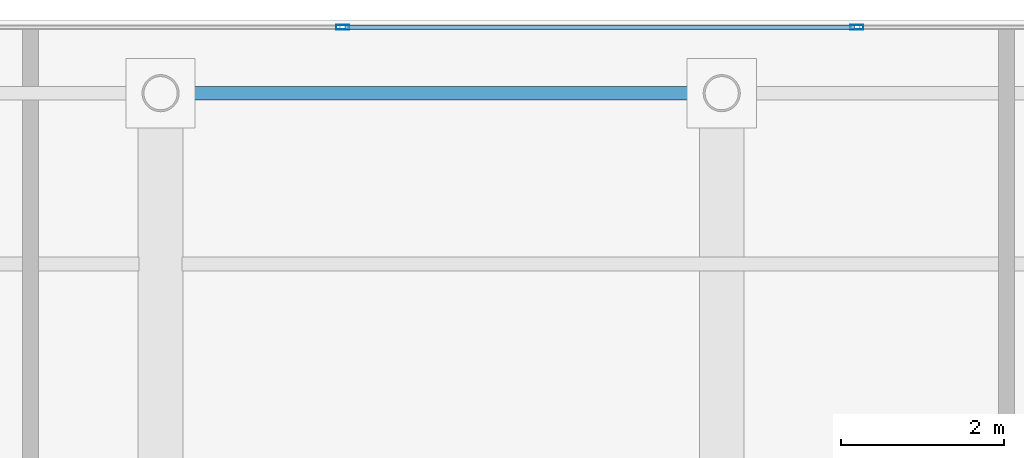
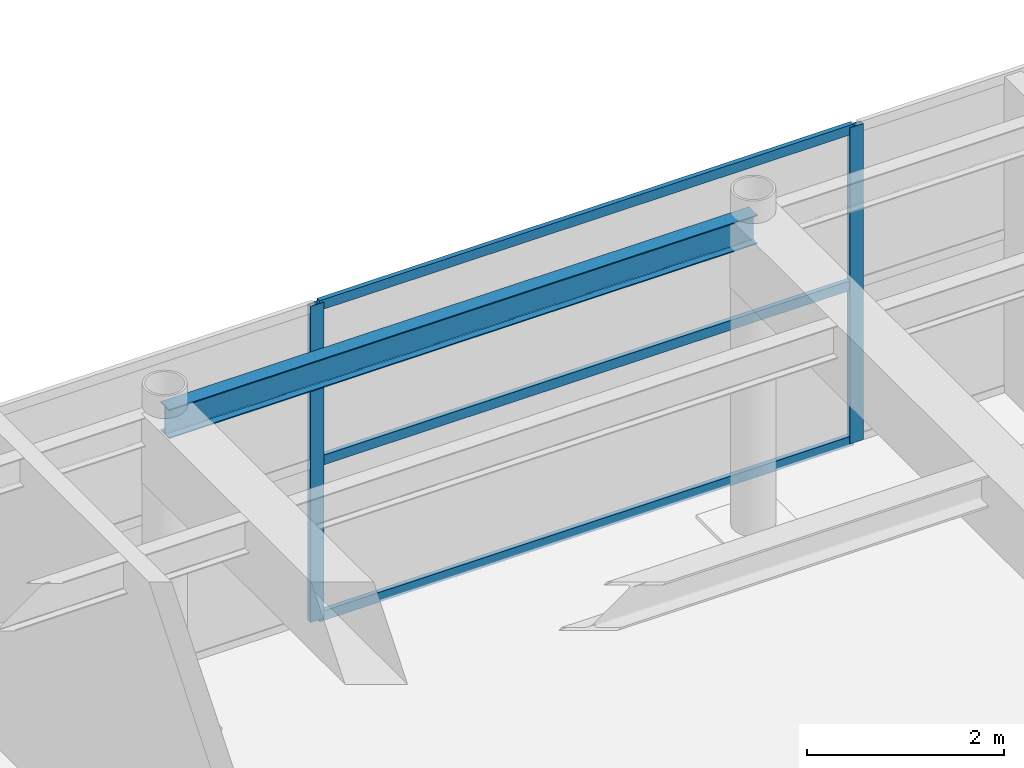
# One storey, part 24 of 32: 5 members, 1 beam, 1 element without a shape of its own.
"""IFC4 building model written with IfcOpenShell, lengths in metres."""

from ifc_helpers import new_model, si_unit, direction, frame, origin, origin_2d, place, context, subcontext, project, spatial, hollow_rectangle, i_section, extrude, source, transform, mapped, material, layer, layer_set, material_profile, profile_set, type_object, element, aggregate, save


model = new_model("IFC4")

# Units and contexts
model_context = context("Model", 3, precision=1e-05, world=origin(), true_north=direction((0.0, 1.0)))
body_context = subcontext(model_context, "Body", "Model", "MODEL_VIEW")
ifc_project = project(units=[si_unit("LENGTHUNIT", "METRE"), si_unit("AREAUNIT", "SQUARE_METRE"), si_unit("VOLUMEUNIT", "CUBIC_METRE"), si_unit("PLANEANGLEUNIT", "RADIAN"), si_unit("MASSUNIT", "GRAM", prefix="KILO")], contexts=[model_context])

# Site, building, storey
site_placement = place(None, origin())
site = spatial("IfcSite", under=ifc_project, at=site_placement, CompositionType="ELEMENT")
building_placement = place(site_placement, origin())
building = spatial("IfcBuilding", under=site, at=building_placement, Name="Khoralis Quay Care Tower", CompositionType="ELEMENT")
storey_placement = place(building_placement, frame((0.0, 0.0, 293.699951171875)))
storey = spatial("IfcBuildingStorey", under=building, at=storey_placement, Name="L77", CompositionType="ELEMENT", Elevation=293.699951171875)

# Beam
ifc_material_1 = material(Name="Steel S355", Category="steel")
ifc_material_profile_1 = material_profile(ifc_material_1, i_section(OverallWidth=0.169921875, OverallDepth=0.360107421875, WebThickness=0.008056640625, FlangeThickness=0.0126953125, FilletRadius=0.01806640625, at=origin_2d()), Name="Steel S355")
ifc_profile_set_1 = profile_set([ifc_material_profile_1], Name="Steel S355")
beam_type = type_object("IfcBeamType", Name="BM-IPE360", PredefinedType="SPANDREL", material=ifc_profile_set_1)
shared_shape_1 = source(origin(), body_context, "Body", "SweptSolid", [
    extrude(i_section(OverallWidth=0.169921875, OverallDepth=0.360107421875, WebThickness=0.008056640625, FlangeThickness=0.0126953125, FilletRadius=0.01806640625, at=origin_2d()), origin(), (0.0, 0.0, 1.0), 6.89990234375),
])
beam_placement = place(storey_placement, frame((17.10009765625, 41.10009765625, 3.739990234375), z_axis=(1.0, 0.0, 0.0), x_axis=(0.0, 1.0, 0.0)))
element("IfcBeam", 1, at=beam_placement, inside=storey, type_object=beam_type, Name="BM-TSP-L77-06", PredefinedType="SPANDREL", context=body_context, shape_type="MappedRepresentation", body=[
    mapped(shared_shape_1, transform((0.0, 0.0, 0.0), scale=1.0)),
])

# Curtain wall, members
ifc_material_2 = material(Name="Pale anodised aluminium", Category="aluminium")
ifc_layer = layer(ifc_material_2, 0.199951171875)
ifc_layer_set = layer_set([ifc_layer], Name="Pale anodised aluminium")
curtain_wall_type = type_object("IfcCurtainWallType", Name="CW-SYS-LANTERN", PredefinedType="NOTDEFINED", material=ifc_layer_set)
curtain_wall_placement = place(storey_placement, origin())
curtain_wall = element("IfcCurtainWall", 2, at=curtain_wall_placement, inside=storey, type_object=curtain_wall_type, Name="L77 Unitised Curtain Wall CW-LN-L77-11", PredefinedType="NOTDEFINED")
ifc_material_profile_2 = material_profile(ifc_material_2, hollow_rectangle(XDim=0.06005859375, YDim=0.159912109375, WallThickness=0.00390625, at=origin_2d()), Name="Pale anodised aluminium")
ifc_profile_set_2 = profile_set([ifc_material_profile_2], Name="Pale anodised aluminium")
member_type_1 = type_object("IfcMemberType", Name="CW-MUL-160", PredefinedType="MULLION", material=ifc_profile_set_2)
shared_shape_2 = source(origin(), body_context, "Body", "SweptSolid", [
    extrude(hollow_rectangle(XDim=0.06005859375, YDim=0.159912109375, WallThickness=0.00390625, at=origin_2d()), origin(), (0.0, 0.0, 1.0), 3.920166015625),
])
member_1_placement = place(storey_placement, frame((25.662109375, 41.909912109375, 0.0), z_axis=(0.0, 0.0, 1.0), x_axis=(0.0, -1.0, 0.0)))
member_1 = element("IfcMember", 3, at=member_1_placement, type_object=member_type_1, Name="CW5 mullion 3", PredefinedType="MULLION", context=body_context, shape_type="MappedRepresentation", body=[
    mapped(shared_shape_2, transform((0.0, 0.0, 0.0), scale=1.0)),
])
member_2_placement = place(storey_placement, frame((19.337890625, 41.909912109375, 0.0), z_axis=(0.0, 0.0, 1.0), x_axis=(0.0, -1.0, 0.0)))
member_2 = element("IfcMember", 4, at=member_2_placement, type_object=member_type_1, Name="CW5 mullion 4", PredefinedType="MULLION", context=body_context, shape_type="MappedRepresentation", body=[
    mapped(shared_shape_2, transform((0.0, 0.0, 0.0), scale=1.0)),
])
ifc_material_profile_3 = material_profile(ifc_material_2, hollow_rectangle(XDim=0.054931640625, YDim=0.1201171875, WallThickness=0.00390625, at=origin_2d()), Name="Pale anodised aluminium")
ifc_profile_set_3 = profile_set([ifc_material_profile_3], Name="Pale anodised aluminium")
member_type_2 = type_object("IfcMemberType", Name="CW-TRN-120", PredefinedType="USERDEFINED", material=ifc_profile_set_3)
shared_shape_3 = source(origin(), body_context, "Body", "SweptSolid", [
    extrude(hollow_rectangle(XDim=0.054931640625, YDim=0.1201171875, WallThickness=0.00390625, at=origin_2d()), origin(), (0.0, 0.0, 1.0), 6.26416015625),
])
member_3_placement = place(storey_placement, frame((25.632080078125, 41.909912109375, 0.030029296875), z_axis=(-1.0, 0.0, 0.0), x_axis=(0.0, -1.0, 0.0)))
member_3 = element("IfcMember", 5, at=member_3_placement, type_object=member_type_2, Name="CW5 transom 3.1", ObjectType="TRANSOM", PredefinedType="USERDEFINED", context=body_context, shape_type="MappedRepresentation", body=[
    mapped(shared_shape_3, transform((0.0, 0.0, 0.0), scale=1.0)),
])
member_4_placement = place(storey_placement, frame((25.632080078125, 41.909912109375, 1.9599609375), z_axis=(-1.0, 0.0, 0.0), x_axis=(0.0, -1.0, 0.0)))
member_4 = element("IfcMember", 6, at=member_4_placement, type_object=member_type_2, Name="CW5 transom 3.2", ObjectType="TRANSOM", PredefinedType="USERDEFINED", context=body_context, shape_type="MappedRepresentation", body=[
    mapped(shared_shape_3, transform((0.0, 0.0, 0.0), scale=1.0)),
])
member_5_placement = place(storey_placement, frame((25.632080078125, 41.909912109375, 3.89013671875), z_axis=(-1.0, 0.0, 0.0), x_axis=(0.0, -1.0, 0.0)))
member_5 = element("IfcMember", 7, at=member_5_placement, type_object=member_type_2, Name="CW5 transom 3.3", ObjectType="TRANSOM", PredefinedType="USERDEFINED", context=body_context, shape_type="MappedRepresentation", body=[
    mapped(shared_shape_3, transform((0.0, 0.0, 0.0), scale=1.0)),
])
aggregate(curtain_wall, [member_1, member_2, member_3, member_4, member_5])

save(model, "model.ifc")
